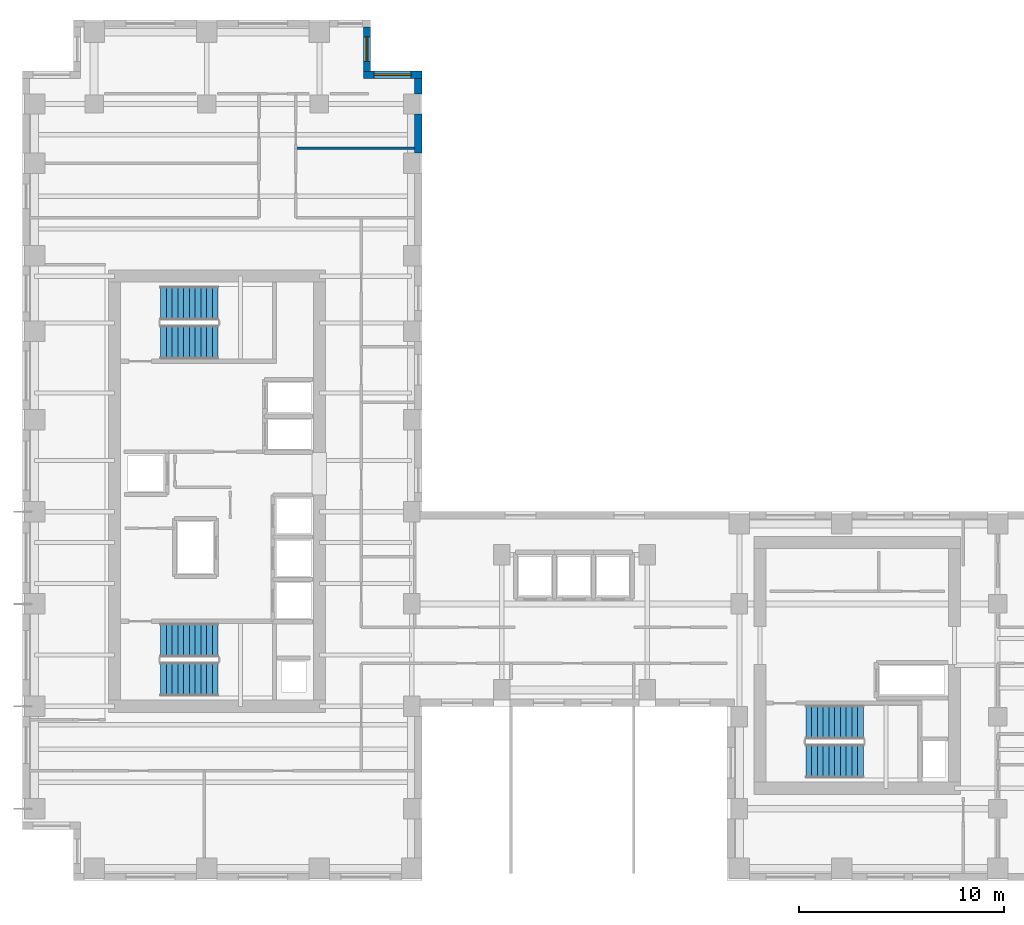
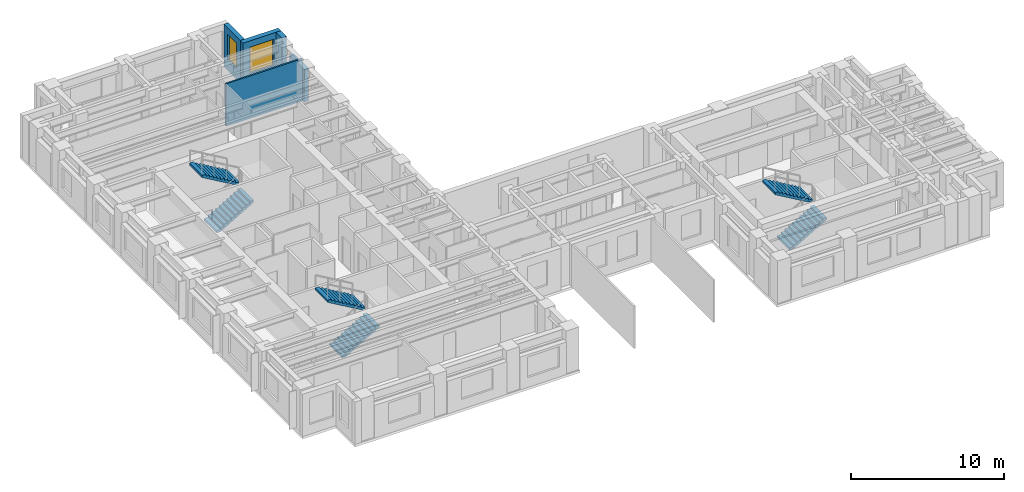
# One storey, part 9 of 11: 6 stair flights, 5 walls, 2 windows, 2 openings, 3 elements without a shape of their own.
"""IFC4 building model written with IfcOpenShell, lengths in metres."""

from ifc_helpers import new_model, si_unit, direction, frame, frame_2d, origin, place, context, subcontext, project, spatial, polyline, rectangle, outline, extrude, source, transform, mapped, material, layer, layer_set, type_object, element, fill, aggregate, save


model = new_model("IFC4")

# Units and contexts
model_context = context("Model", 3, precision=1e-05, world=origin(), true_north=direction((0.0, 1.0)))
body_context = subcontext(model_context, "Body", "Model", "MODEL_VIEW")
ifc_project = project(units=[si_unit("LENGTHUNIT", "METRE"), si_unit("AREAUNIT", "SQUARE_METRE"), si_unit("VOLUMEUNIT", "CUBIC_METRE"), si_unit("PLANEANGLEUNIT", "RADIAN"), si_unit("MASSUNIT", "GRAM", prefix="KILO")], contexts=[model_context])

# Site, building, storey
site_placement = place(None, origin())
site = spatial("IfcSite", under=ifc_project, at=site_placement, CompositionType="ELEMENT")
building_placement = place(site_placement, origin())
building = spatial("IfcBuilding", under=site, at=building_placement, Name="Kharzan Plaza Tower", CompositionType="ELEMENT")
storey_placement = place(building_placement, frame((0.0, 0.0, 186.300048828125)))
storey = spatial("IfcBuildingStorey", under=building, at=storey_placement, Name="L50", CompositionType="ELEMENT", Elevation=186.300048828125)

# Wall, opening, window
ifc_material_1 = material(Name="Concrete C40/50", Category="concrete")
ifc_layer_1 = layer(ifc_material_1, 0.35009765625)
ifc_layer_set_1 = layer_set([ifc_layer_1], Name="Concrete C40/50")
wall_type_1 = type_object("IfcWallType", Name="WL-EXT-MAS-Z3", PredefinedType="SOLIDWALL", material=ifc_layer_set_1)
wall_1_placement = place(storey_placement, frame((19.5, 39.324951171875, 0.0), z_axis=(0.0, 0.0, 1.0), x_axis=(-1.0, 0.0, 0.0)))
wall_1 = element("IfcWall", 1, at=wall_1_placement, inside=storey, type_object=wall_type_1, Name="L50 Masonry-Frame Exterior Wall 01", PredefinedType="SOLIDWALL", context=body_context, shape_type="SweptSolid", body=[
    extrude(rectangle(XDim=2.85009765625, YDim=0.35009765625, at=frame_2d((1.425048828125, 0.0))), origin(), (0.0, 0.0, 1.0), 3.385009765625),
])
opening_1_placement = place(wall_1_placement, frame((0.52490234375, 0.0, 0.780029296875)))
opening_1 = element("IfcOpeningElement", 2, at=opening_1_placement, cuts=wall_1, Name="Opening W1", PredefinedType="OPENING", context=body_context, shape_type="SweptSolid", body=[
    extrude(rectangle(XDim=1.800048828125, YDim=2.10009765625, at=frame_2d((0.89990234375, 1.050048828125))), frame((0.0, 0.18505859375, 0.0), z_axis=(0.0, -1.0, 0.0), x_axis=(1.0, 0.0, 0.0)), (0.0, 0.0, 1.0), 0.3701171875),
])
ifc_material_2 = material(Name="Low-E Double Glazing", Category="glass")
window_type_1 = type_object("IfcWindowType", Name="WN-REC-1800x2100", PartitioningType="SINGLE_PANEL", PredefinedType="WINDOW", material=ifc_material_2)
shared_shape_1 = source(origin(), body_context, "Body", "SweptSolid", [
    extrude(rectangle(XDim=1.800048828125, YDim=2.10009765625, at=frame_2d((0.89990234375, 1.050048828125))), frame((0.0, 0.030029296875, 0.0), z_axis=(0.0, -1.0, 0.0), x_axis=(1.0, 0.0, 0.0)), (0.0, 0.0, 1.0), 0.06005859375),
])
window_1_placement = place(opening_1_placement, origin())
window_1 = element("IfcWindow", 3, at=window_1_placement, inside=storey, type_object=window_type_1, Name="L50 Recessed Solar-Control Window 01-1", OverallHeight=2.10009765625, OverallWidth=1.800048828125, PartitioningType="SINGLE_PANEL", PredefinedType="WINDOW", context=body_context, shape_type="MappedRepresentation", body=[
    mapped(shared_shape_1, transform((0.0, 0.0, 0.0), x_axis=(1.0, 0.0, 0.0), y_axis=(0.0, 1.0, 0.0), z_axis=(0.0, 0.0, 1.0))),
])
fill(opening_1, window_1)

wall_2_placement = place(storey_placement, frame((16.824951171875, 39.498046875, 0.0), z_axis=(0.0, 0.0, 1.0), x_axis=(0.0, 1.0, 0.0)))
wall_2 = element("IfcWall", 4, at=wall_2_placement, inside=storey, type_object=wall_type_1, Name="L50 Masonry-Frame Exterior Wall 02", PredefinedType="SOLIDWALL", context=body_context, shape_type="SweptSolid", body=[
    extrude(rectangle(XDim=2.154052734375, YDim=0.35009765625, at=frame_2d((1.0771484375, 0.0))), origin(), (0.0, 0.0, 1.0), 3.385009765625),
])
opening_2_placement = place(wall_2_placement, frame((0.47705078125, 0.0, 0.780029296875)))
opening_2 = element("IfcOpeningElement", 5, at=opening_2_placement, cuts=wall_2, Name="Opening W3", PredefinedType="OPENING", context=body_context, shape_type="SweptSolid", body=[
    extrude(rectangle(XDim=1.199951171875, YDim=2.10009765625, at=frame_2d((0.60009765625, 1.050048828125))), frame((0.0, 0.18505859375, 0.0), z_axis=(0.0, -1.0, 0.0), x_axis=(1.0, 0.0, 0.0)), (0.0, 0.0, 1.0), 0.3701171875),
])
window_type_2 = type_object("IfcWindowType", Name="WN-REC-1200x2100", PartitioningType="SINGLE_PANEL", PredefinedType="WINDOW", material=ifc_material_2)
shared_shape_2 = source(origin(), body_context, "Body", "SweptSolid", [
    extrude(rectangle(XDim=1.199951171875, YDim=2.10009765625, at=frame_2d((0.60009765625, 1.050048828125))), frame((0.0, 0.030029296875, 0.0), z_axis=(0.0, -1.0, 0.0), x_axis=(1.0, 0.0, 0.0)), (0.0, 0.0, 1.0), 0.06005859375),
])
window_2_placement = place(opening_2_placement, origin())
window_2 = element("IfcWindow", 6, at=window_2_placement, inside=storey, type_object=window_type_2, Name="L50 Recessed Solar-Control Window 02-1", OverallHeight=2.10009765625, OverallWidth=1.199951171875, PartitioningType="SINGLE_PANEL", PredefinedType="WINDOW", context=body_context, shape_type="MappedRepresentation", body=[
    mapped(shared_shape_2, transform((0.0, 0.0, 0.0), x_axis=(1.0, 0.0, 0.0), y_axis=(0.0, 1.0, 0.0), z_axis=(0.0, 0.0, 1.0))),
])
fill(opening_2, window_2)

# Walls
shared_shape_3 = source(origin(), body_context, "Body", "SweptSolid", [
    extrude(rectangle(XDim=0.754150390625, YDim=0.35009765625, at=frame_2d((0.376953125, 0.0))), origin(), (0.0, 0.0, 1.0), 3.385009765625),
])
wall_3_placement = place(storey_placement, frame((19.324951171875, 38.39794921875, 0.0), z_axis=(0.0, 0.0, 1.0), x_axis=(0.0, 1.0, 0.0)))
element("IfcWall", 7, at=wall_3_placement, inside=storey, type_object=wall_type_1, Name="L50 Masonry-Frame Exterior Wall 52", PredefinedType="SOLIDWALL", context=body_context, shape_type="MappedRepresentation", body=[
    mapped(shared_shape_3, transform((0.0, 0.0, 0.0), x_axis=(1.0, 0.0, 0.0), y_axis=(0.0, 1.0, 0.0), z_axis=(0.0, 0.0, 1.0))),
])
shared_shape_4 = source(origin(), body_context, "Body", "SweptSolid", [
    extrude(rectangle(XDim=1.904052734375, YDim=0.35009765625, at=frame_2d((0.9521484375, 0.0))), origin(), (0.0, 0.0, 1.0), 2.612060546875),
])
wall_4_placement = place(storey_placement, frame((19.324951171875, 35.498046875, 0.0), z_axis=(0.0, 0.0, 1.0), x_axis=(0.0, 1.0, 0.0)))
element("IfcWall", 8, at=wall_4_placement, inside=storey, type_object=wall_type_1, Name="L50 Masonry-Frame Exterior Wall 51", PredefinedType="SOLIDWALL", context=body_context, shape_type="MappedRepresentation", body=[
    mapped(shared_shape_4, transform((0.0, 0.0, 0.0), x_axis=(1.0, 0.0, 0.0), y_axis=(0.0, 1.0, 0.0), z_axis=(0.0, 0.0, 1.0))),
])
ifc_material_3 = material(Name="Fire-Rated Gypsum Board Partition", Category="gypsum")
ifc_layer_2 = layer(ifc_material_3, 0.125)
ifc_layer_set_2 = layer_set([ifc_layer_2], Name="Fire-Rated Gypsum Board Partition")
wall_type_2 = type_object("IfcWallType", Name="WL-INT-PART-125", PredefinedType="PARTITIONING", material=ifc_layer_set_2)
shared_shape_5 = source(origin(), body_context, "Body", "SweptSolid", [
    extrude(rectangle(XDim=5.7978515625, YDim=0.125, at=frame_2d((2.89892578125, 0.0))), origin(), (0.0, 0.0, 1.0), 3.385009765625),
])
wall_5_placement = place(storey_placement, frame((13.35009765625, 35.738037109375, 0.0), z_axis=(0.0, 0.0, 1.0), x_axis=(1.0, 0.0, 0.0)))
element("IfcWall", 9, at=wall_5_placement, inside=storey, type_object=wall_type_2, Name="L50 Interior Partition SH-NEH-1", PredefinedType="PARTITIONING", context=body_context, shape_type="MappedRepresentation", body=[
    mapped(shared_shape_5, transform((0.0, 0.0, 0.0), x_axis=(1.0, 0.0, 0.0), y_axis=(0.0, 1.0, 0.0), z_axis=(0.0, 0.0, 1.0))),
])

# Stair, stair flights
stair_type_1 = type_object("IfcStairType", Name="STR-ST-1", PredefinedType="HALF_TURN_STAIR", material=ifc_material_1)
stair_1_placement = place(storey_placement, origin())
stair_1 = element("IfcStair", 10, at=stair_1_placement, inside=storey, type_object=stair_type_1, Name="L50 Protected Exit Stair ST-1", PredefinedType="HALF_TURN_STAIR")
stair_flight_type = type_object("IfcStairFlightType", Name="SFL-1650-R173", PredefinedType="STRAIGHT", material=ifc_material_1)
shared_shape_6 = source(origin(), body_context, "Body", "SweptSolid", [
    extrude(outline(polyline([(-0.0029296875, -0.011962890625), (-0.0029296875, 0.0), (0.0, 0.0), (0.0, 0.16357421875), (0.280029296875, 0.16357421875), (0.280029296875, 0.3271484375), (0.56005859375, 0.3271484375), (0.56005859375, 0.49072265625), (0.840087890625, 0.49072265625), (0.840087890625, 0.654296875), (1.1201171875, 0.654296875), (1.1201171875, 0.81787109375), (1.400146484375, 0.81787109375), (1.400146484375, 0.9814453125), (1.68017578125, 0.9814453125), (1.68017578125, 1.14501953125), (1.960205078125, 1.14501953125), (1.960205078125, 1.30859375), (2.240234375, 1.30859375), (2.240234375, 1.47216796875), (2.520263671875, 1.47216796875), (2.520263671875, 1.6357421875), (2.80029296875, 1.6357421875), (2.80029296875, 1.79931640625), (2.80029296875, 1.462158203125), (0.297119140625, 0.0), (0.297119140625, -0.011962890625), (-0.0029296875, -0.011962890625)])), frame((0.0, 0.824951171875, 0.0), z_axis=(0.0, -1.0, 0.0), x_axis=(1.0, 0.0, 0.0)), (0.0, 0.0, 1.0), 1.64990234375),
])
stair_flight_1_placement = place(storey_placement, frame((6.75, 9.824951171875, 0.0), z_axis=(0.0, 0.0, 1.0), x_axis=(1.0, 0.0, 0.0)))
stair_flight_1 = element("IfcStairFlight", 11, at=stair_flight_1_placement, type_object=stair_flight_type, Name="ST-1 flight 1", NumberOfRisers=11, NumberOfTreads=10, PredefinedType="STRAIGHT", RiserHeight=0.163636364, TreadLength=0.28, context=body_context, shape_type="MappedRepresentation", body=[
    mapped(shared_shape_6, transform((0.0, 0.0, 0.0), x_axis=(1.0, 0.0, 0.0), y_axis=(0.0, 1.0, 0.0), z_axis=(0.0, 0.0, 1.0))),
])
stair_flight_2_placement = place(storey_placement, frame((9.550048828125, 11.72509765625, 1.800048828125), z_axis=(0.0, 0.0, 1.0), x_axis=(-1.0, 0.0, 0.0)))
stair_flight_2 = element("IfcStairFlight", 12, at=stair_flight_2_placement, type_object=stair_flight_type, Name="ST-1 flight 2", NumberOfRisers=11, NumberOfTreads=10, PredefinedType="STRAIGHT", RiserHeight=0.163636364, TreadLength=0.28, context=body_context, shape_type="MappedRepresentation", body=[
    mapped(shared_shape_6, transform((0.0, 0.0, 0.0), x_axis=(1.0, 0.0, 0.0), y_axis=(0.0, 1.0, 0.0), z_axis=(0.0, 0.0, 1.0))),
])
aggregate(stair_1, [stair_flight_1, stair_flight_2])

stair_type_2 = type_object("IfcStairType", Name="STR-ST-2", PredefinedType="HALF_TURN_STAIR", material=ifc_material_1)
stair_2_placement = place(storey_placement, origin())
stair_2 = element("IfcStair", 13, at=stair_2_placement, inside=storey, type_object=stair_type_2, Name="L50 Protected Exit Stair ST-2", PredefinedType="HALF_TURN_STAIR")
stair_flight_3_placement = place(storey_placement, frame((6.75, 26.27490234375, 0.0), z_axis=(0.0, 0.0, 1.0), x_axis=(1.0, 0.0, 0.0)))
stair_flight_3 = element("IfcStairFlight", 14, at=stair_flight_3_placement, type_object=stair_flight_type, Name="ST-2 flight 1", NumberOfRisers=11, NumberOfTreads=10, PredefinedType="STRAIGHT", RiserHeight=0.163636364, TreadLength=0.28, context=body_context, shape_type="MappedRepresentation", body=[
    mapped(shared_shape_6, transform((0.0, 0.0, 0.0), x_axis=(1.0, 0.0, 0.0), y_axis=(0.0, 1.0, 0.0), z_axis=(0.0, 0.0, 1.0))),
])
stair_flight_4_placement = place(storey_placement, frame((9.550048828125, 28.175048828125, 1.800048828125), z_axis=(0.0, 0.0, 1.0), x_axis=(-1.0, 0.0, 0.0)))
stair_flight_4 = element("IfcStairFlight", 15, at=stair_flight_4_placement, type_object=stair_flight_type, Name="ST-2 flight 2", NumberOfRisers=11, NumberOfTreads=10, PredefinedType="STRAIGHT", RiserHeight=0.163636364, TreadLength=0.28, context=body_context, shape_type="MappedRepresentation", body=[
    mapped(shared_shape_6, transform((0.0, 0.0, 0.0), x_axis=(1.0, 0.0, 0.0), y_axis=(0.0, 1.0, 0.0), z_axis=(0.0, 0.0, 1.0))),
])
aggregate(stair_2, [stair_flight_3, stair_flight_4])

stair_type_3 = type_object("IfcStairType", Name="STR-ST-3", PredefinedType="HALF_TURN_STAIR", material=ifc_material_1)
stair_3_placement = place(storey_placement, origin())
stair_3 = element("IfcStair", 16, at=stair_3_placement, inside=storey, type_object=stair_type_3, Name="L50 Protected Exit Stair ST-3", PredefinedType="HALF_TURN_STAIR")
stair_flight_5_placement = place(storey_placement, frame((38.25, 5.824951171875, 0.0), z_axis=(0.0, 0.0, 1.0), x_axis=(1.0, 0.0, 0.0)))
stair_flight_5 = element("IfcStairFlight", 17, at=stair_flight_5_placement, type_object=stair_flight_type, Name="ST-3 flight 1", NumberOfRisers=11, NumberOfTreads=10, PredefinedType="STRAIGHT", RiserHeight=0.163636364, TreadLength=0.28, context=body_context, shape_type="MappedRepresentation", body=[
    mapped(shared_shape_6, transform((0.0, 0.0, 0.0), x_axis=(1.0, 0.0, 0.0), y_axis=(0.0, 1.0, 0.0), z_axis=(0.0, 0.0, 1.0))),
])
stair_flight_6_placement = place(storey_placement, frame((41.050048828125, 7.72509765625, 1.800048828125), z_axis=(0.0, 0.0, 1.0), x_axis=(-1.0, 0.0, 0.0)))
stair_flight_6 = element("IfcStairFlight", 18, at=stair_flight_6_placement, type_object=stair_flight_type, Name="ST-3 flight 2", NumberOfRisers=11, NumberOfTreads=10, PredefinedType="STRAIGHT", RiserHeight=0.163636364, TreadLength=0.28, context=body_context, shape_type="MappedRepresentation", body=[
    mapped(shared_shape_6, transform((0.0, 0.0, 0.0), x_axis=(1.0, 0.0, 0.0), y_axis=(0.0, 1.0, 0.0), z_axis=(0.0, 0.0, 1.0))),
])
aggregate(stair_3, [stair_flight_5, stair_flight_6])

save(model, "model.ifc")
